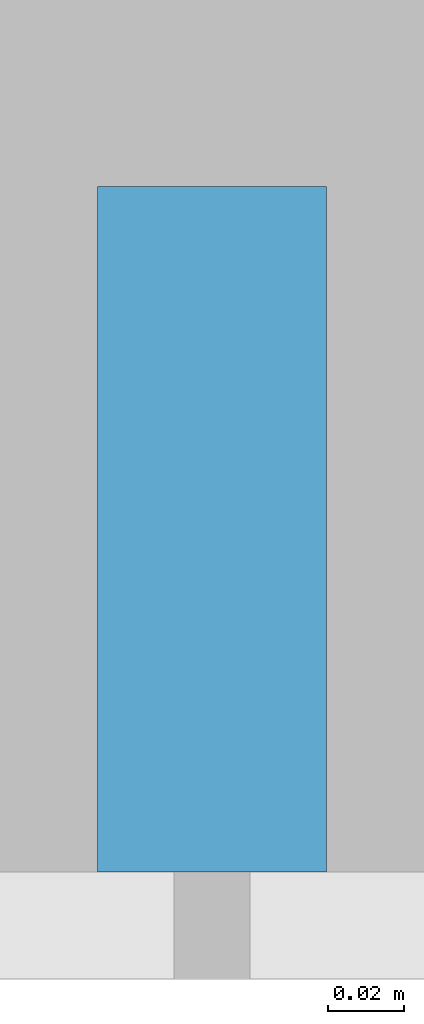
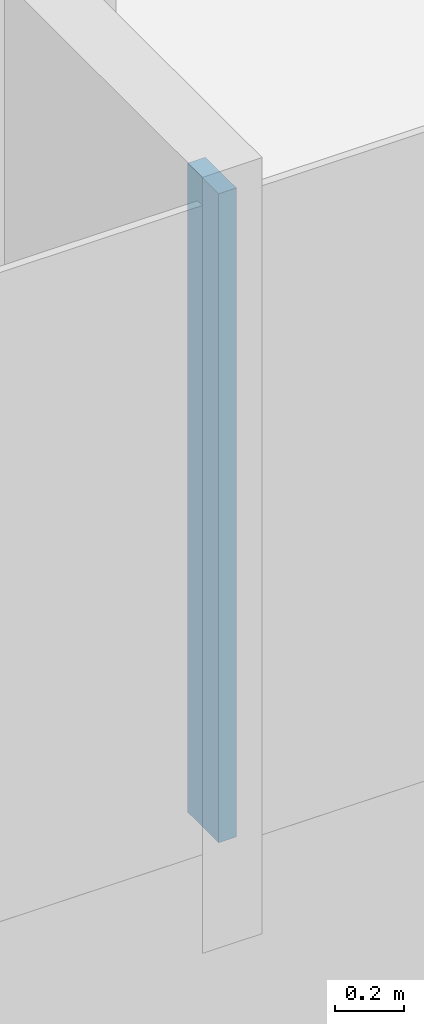
# One storey, part 5 of 26: 1 member, 1 element without a shape of its own.
"""IFC4 building model written with IfcOpenShell, lengths in metres."""

from ifc_helpers import new_model, si_unit, direction, frame, origin, origin_2d, place, context, subcontext, project, spatial, rectangle, extrude, material, layer, layer_set, material_profile, profile_set, type_object, element, aggregate, save


model = new_model("IFC4")

# Units and contexts
model_context = context("Model", 3, precision=1e-05, world=origin(), true_north=direction((0.0, 1.0)))
body_context = subcontext(model_context, "Body", "Model", "MODEL_VIEW")
ifc_project = project(units=[si_unit("LENGTHUNIT", "METRE"), si_unit("AREAUNIT", "SQUARE_METRE"), si_unit("VOLUMEUNIT", "CUBIC_METRE"), si_unit("PLANEANGLEUNIT", "RADIAN"), si_unit("MASSUNIT", "GRAM", prefix="KILO")], contexts=[model_context])

# Site, building, storey
site_placement = place(None, origin())
site = spatial("IfcSite", under=ifc_project, at=site_placement, CompositionType="ELEMENT")
building_placement = place(site_placement, origin())
building = spatial("IfcBuilding", under=site, at=building_placement, Name="Hakoniwa Tower and Hamabe Station Hall", CompositionType="ELEMENT")
storey_placement = place(building_placement, frame((0.0, 0.0, 209.0)))
storey = spatial("IfcBuildingStorey", under=building, at=storey_placement, Name="L59", CompositionType="ELEMENT", Elevation=209.0)

# Curtain wall, member
ifc_material_1 = material(Name="Dark low-e laminated glass", Category="glass")
ifc_layer = layer(ifc_material_1, 0.199951171875)
ifc_layer_set = layer_set([ifc_layer], Name="CW-1 UNITISED GUEST")
curtain_wall_type = type_object("IfcCurtainWallType", Name="CW-1 UNITISED GUEST", PredefinedType="NOTDEFINED", material=ifc_layer_set)
curtain_wall_placement = place(storey_placement, origin())
curtain_wall = element("IfcCurtainWall", 1, at=curtain_wall_placement, inside=storey, type_object=curtain_wall_type, Name="CW-1 curtain wall", PredefinedType="NOTDEFINED")
ifc_material_2 = material(Name="Aluminium 6063-T5 black anodised", Category="aluminium")
ifc_material_profile = material_profile(ifc_material_2, rectangle(XDim=0.06005859375, YDim=0.179931640625, at=origin_2d()), Name="CW-1 MULLION 60X180")
ifc_profile_set = profile_set([ifc_material_profile], Name="Aluminium 6063-T5 black anodised")
member_type = type_object("IfcMemberType", Name="CW-1 MULLION 60X180", PredefinedType="MULLION", material=ifc_profile_set)
member_placement = place(storey_placement, frame((16.800048828125, -15.431884765625, 0.35009765625), z_axis=(0.0, 0.0, 1.0), x_axis=(1.0, 0.0, 0.0)))
member = element("IfcMember", 2, at=member_placement, type_object=member_type, Name="CW-1 mullion", PredefinedType="MULLION", context=body_context, shape_type="SweptSolid", body=[
    extrude(rectangle(XDim=0.06005859375, YDim=0.179931640625, at=origin_2d()), origin(), (0.0, 0.0, 1.0), 2.2998046875),
])
aggregate(curtain_wall, [member])

save(model, "model.ifc")
